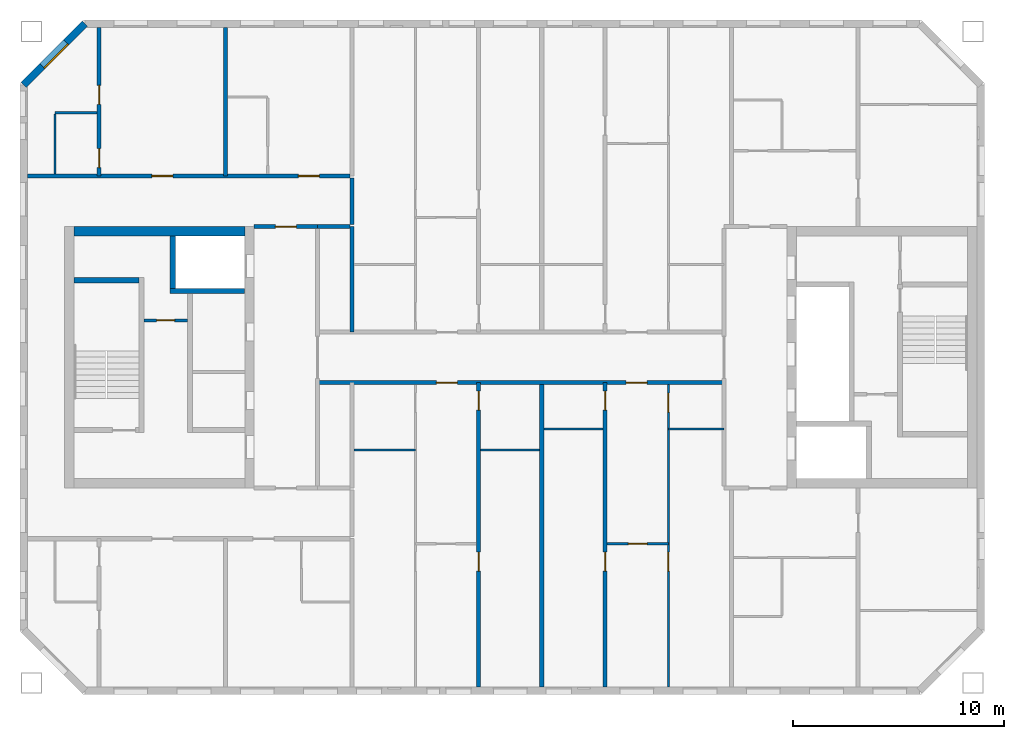
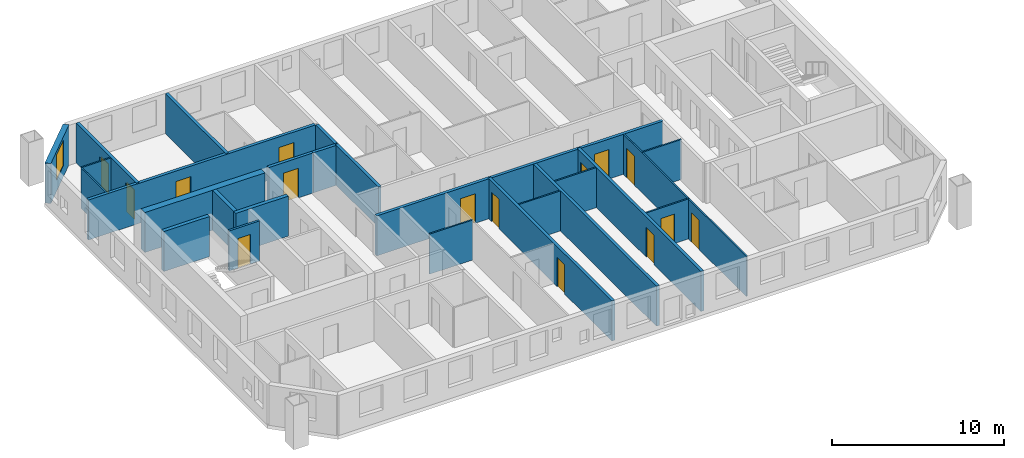
# One storey, part 4 of 15: 25 walls, 15 doors, 1 window, 16 openings.
"""IFC4 building model written with IfcOpenShell, lengths in metres."""

from ifc_helpers import new_model, si_unit, direction, frame, frame_2d, origin, place, context, subcontext, project, spatial, rectangle, extrude, material, layer, layer_set, type_object, element, fill, save


model = new_model("IFC4")

# Units and contexts
model_context = context("Model", 3, precision=1e-05, world=origin(), true_north=direction((0.0, 1.0)))
body_context = subcontext(model_context, "Body", "Model", "MODEL_VIEW")
ifc_project = project(units=[si_unit("LENGTHUNIT", "METRE"), si_unit("AREAUNIT", "SQUARE_METRE"), si_unit("VOLUMEUNIT", "CUBIC_METRE"), si_unit("PLANEANGLEUNIT", "RADIAN"), si_unit("MASSUNIT", "GRAM", prefix="KILO")], contexts=[model_context])

# Site, building, storey
site_placement = place(None, origin())
site = spatial("IfcSite", under=ifc_project, at=site_placement, CompositionType="ELEMENT")
building_placement = place(site_placement, origin())
building = spatial("IfcBuilding", under=site, at=building_placement, Name="Tuart Gate Housing", CompositionType="ELEMENT")
storey_placement = place(building_placement, frame((0.0, 0.0, 188.199951171875)))
storey = spatial("IfcBuildingStorey", under=building, at=storey_placement, Name="L53", CompositionType="ELEMENT", Elevation=188.199951171875)

# Wall, opening, window
ifc_material_1 = material(Name="Brick", Category="masonry")
ifc_layer_1 = layer(ifc_material_1, 0.360107421875)
ifc_layer_set_1 = layer_set([ifc_layer_1], Name="Brick pier and spandrel wall 360")
wall_type_1 = type_object("IfcWallType", Name="Brick pier and spandrel wall 360", PredefinedType="STANDARD", material=ifc_layer_set_1)
wall_1_placement = place(storey_placement, frame((33.32470703125, 85.820068359375, 0.0), z_axis=(0.0, 0.0, 1.0), x_axis=(-0.707106781187, -0.707106781187, 0.0)))
wall_1 = element("IfcWall", 1, at=wall_1_placement, inside=storey, type_object=wall_type_1, Name="External wall A-NW L53", PredefinedType="STANDARD", context=body_context, shape_type="SweptSolid", body=[
    extrude(rectangle(XDim=4.09375, YDim=0.360107421875, at=frame_2d((2.046875, 0.0))), origin(), (0.0, 0.0, 1.0), 2.85009765625),
])
opening_1_placement = place(wall_1_placement, frame((1.2470703125, 0.0, 0.800048828125)))
opening_1 = element("IfcOpeningElement", 2, at=opening_1_placement, cuts=wall_1, Name="Opening W1", PredefinedType="OPENING", context=body_context, shape_type="SweptSolid", body=[
    extrude(rectangle(XDim=1.60009765625, YDim=1.800048828125, at=frame_2d((0.800048828125, 0.89990234375))), frame((0.0, 0.18994140625, 0.0), z_axis=(0.0, -1.0, 0.0), x_axis=(1.0, 0.0, 0.0)), (0.0, 0.0, 1.0), 0.380126953125),
])
ifc_material_2 = material(Name="Aluminium frame with clear glass", Category="aluminium")
window_type = type_object("IfcWindowType", Name="Punched window 1600 x 1800", PartitioningType="SINGLE_PANEL", PredefinedType="WINDOW", material=ifc_material_2)
window_placement = place(opening_1_placement, origin())
window = element("IfcWindow", 3, at=window_placement, inside=storey, type_object=window_type, Name="Window W1", OverallHeight=1.800048828125, OverallWidth=1.60009765625, PartitioningType="SINGLE_PANEL", PredefinedType="WINDOW", context=body_context, shape_type="SweptSolid", body=[
    extrude(rectangle(XDim=1.60009765625, YDim=1.800048828125, at=frame_2d((0.800048828125, 0.89990234375))), frame((0.0, 0.150146484375, 0.0), z_axis=(0.0, -1.0, 0.0), x_axis=(1.0, 0.0, 0.0)), (0.0, 0.0, 1.0), 0.06005859375),
])
fill(opening_1, window)

# Wall, opening, door
ifc_material_3 = material(Name="Plasterboard partition")
ifc_layer_2 = layer(ifc_material_3, 0.14990234375)
ifc_layer_set_2 = layer_set([ifc_layer_2], Name="Core partition 150")
wall_type_2 = type_object("IfcWallType", Name="Core partition 150", PredefinedType="PARTITIONING", material=ifc_layer_set_2)
wall_2_placement = place(storey_placement, frame((38.18505859375, 71.75, 0.0), z_axis=(0.0, 0.0, 1.0), x_axis=(-1.0, 0.0, 0.0)))
wall_2 = element("IfcWall", 4, at=wall_2_placement, inside=storey, type_object=wall_type_2, Name="Core partition AK.3", PredefinedType="PARTITIONING", context=body_context, shape_type="SweptSolid", body=[
    extrude(rectangle(XDim=2.050048828125, YDim=0.14990234375, at=frame_2d((1.02490234375, 0.0))), origin(), (0.0, 0.0, 1.0), 2.85009765625),
])
opening_2_placement = place(wall_2_placement, frame((0.60009765625, 0.0, 0.0)))
opening_2 = element("IfcOpeningElement", 5, at=opening_2_placement, cuts=wall_2, Name="Opening D1862", PredefinedType="OPENING", context=body_context, shape_type="SweptSolid", body=[
    extrude(rectangle(XDim=0.85009765625, YDim=2.10009765625, at=frame_2d((0.425048828125, 1.050048828125))), frame((0.0, 0.0849609375, 0.0), z_axis=(0.0, -1.0, 0.0), x_axis=(1.0, 0.0, 0.0)), (0.0, 0.0, 1.0), 0.169921875),
])
ifc_material_4 = material(Name="Steel fire door", Category="steel")
door_type_1 = type_object("IfcDoorType", Name="Riser door 850 x 2100 RH", OperationType="SINGLE_SWING_RIGHT", PredefinedType="DOOR", material=ifc_material_4)
door_1_placement = place(opening_2_placement, frame((0.85009765625, 0.0, 0.0), z_axis=(0.0, 0.0, 1.0), x_axis=(-1.0, 0.0, 0.0)))
door_1 = element("IfcDoor", 6, at=door_1_placement, inside=storey, type_object=door_type_1, Name="Service room door AK.E1", OperationType="SINGLE_SWING_RIGHT", OverallHeight=2.10009765625, OverallWidth=0.85009765625, PredefinedType="DOOR", context=body_context, shape_type="SweptSolid", body=[
    extrude(rectangle(XDim=0.85009765625, YDim=2.10009765625, at=frame_2d((0.425048828125, 1.050048828125))), frame((0.0, 0.025146484375, 0.0), z_axis=(0.0, -1.0, 0.0), x_axis=(1.0, 0.0, 0.0)), (0.0, 0.0, 1.0), 0.050048828125),
])
fill(opening_2, door_1)

# Walls
ifc_material_5 = material(Name="Concrete C40", Category="concrete")
ifc_layer_3 = layer(ifc_material_5, 0.25)
ifc_layer_set_3 = layer_set([ifc_layer_3], Name="Core wall 250 C40")
wall_type_3 = type_object("IfcWallType", Name="Core wall 250 C40", PredefinedType="SHEAR", material=ifc_layer_set_3)
wall_3_placement = place(storey_placement, frame((35.885009765625, 73.64990234375, 0.0), z_axis=(0.0, 0.0, 1.0), x_axis=(-1.0, 0.0, 0.0)))
element("IfcWall", 7, at=wall_3_placement, inside=storey, type_object=wall_type_3, Name="Core wall AK.1", PredefinedType="SHEAR", context=body_context, shape_type="SweptSolid", body=[
    extrude(rectangle(XDim=3.074951171875, YDim=0.25, at=frame_2d((1.53759765625, 0.0))), origin(), (0.0, 0.0, 1.0), 2.85009765625),
])
wall_4_placement = place(storey_placement, frame((40.909912109375, 73.14990234375, 0.0), z_axis=(0.0, 0.0, 1.0), x_axis=(-1.0, 0.0, 0.0)))
element("IfcWall", 8, at=wall_4_placement, inside=storey, type_object=wall_type_3, Name="Core wall AK.2", PredefinedType="SHEAR", context=body_context, shape_type="SweptSolid", body=[
    extrude(rectangle(XDim=3.544921875, YDim=0.25, at=frame_2d((1.7724609375, 0.0))), origin(), (0.0, 0.0, 1.0), 2.85009765625),
])
wall_5_placement = place(storey_placement, frame((37.489990234375, 75.75, 0.0), z_axis=(0.0, 0.0, 1.0), x_axis=(0.0, -1.0, 0.0)))
element("IfcWall", 9, at=wall_5_placement, inside=storey, type_object=wall_type_3, Name="Core wall AK.8", PredefinedType="SHEAR", context=body_context, shape_type="SweptSolid", body=[
    extrude(rectangle(XDim=2.47509765625, YDim=0.25, at=frame_2d((1.237548828125, 0.0))), origin(), (0.0, 0.0, 1.0), 2.85009765625),
])
ifc_material_6 = material(Name="Concrete C40", Category="concrete")
ifc_layer_4 = layer(ifc_material_6, 0.449951171875)
ifc_layer_set_4 = layer_set([ifc_layer_4], Name="Core wall 450 C40")
wall_type_4 = type_object("IfcWallType", Name="Core wall 450 C40", PredefinedType="SHEAR", material=ifc_layer_set_4)
wall_6_placement = place(storey_placement, frame((40.909912109375, 75.97509765625, 0.0), z_axis=(0.0, 0.0, 1.0), x_axis=(-1.0, 0.0, 0.0)))
element("IfcWall", 10, at=wall_6_placement, inside=storey, type_object=wall_type_4, Name="Core wall AK south", PredefinedType="SHEAR", context=body_context, shape_type="SweptSolid", body=[
    extrude(rectangle(XDim=8.099853515625, YDim=0.449951171875, at=frame_2d((4.0498046875, 0.0))), origin(), (0.0, 0.0, 1.0), 2.85009765625),
])

# Wall, openings, doors
ifc_material_7 = material(Name="Concrete masonry 15 MPa", Category="masonry")
ifc_layer_5 = layer(ifc_material_7, 0.199951171875)
ifc_layer_set_5 = layer_set([ifc_layer_5], Name="Corridor wall masonry 200")
wall_type_5 = type_object("IfcWallType", Name="Corridor wall masonry 200", PredefinedType="PARTITIONING", material=ifc_layer_set_5)
wall_7_placement = place(storey_placement, frame((44.360107421875, 68.800048828125, 0.0), z_axis=(0.0, 0.0, 1.0), x_axis=(1.0, 0.0, 0.0)))
wall_7 = element("IfcWall", 11, at=wall_7_placement, inside=storey, type_object=wall_type_5, Name="Corridor wall masonry 200", PredefinedType="PARTITIONING", context=body_context, shape_type="SweptSolid", body=[
    extrude(rectangle(XDim=19.27978515625, YDim=0.199951171875, at=frame_2d((9.639892578125, 0.0))), origin(), (0.0, 0.0, 1.0), 2.85009765625),
])
opening_3_placement = place(wall_7_placement, frame((14.639892578125, 0.0, 0.0)))
opening_3 = element("IfcOpeningElement", 12, at=opening_3_placement, cuts=wall_7, Name="Opening D1872", PredefinedType="OPENING", context=body_context, shape_type="SweptSolid", body=[
    extrude(rectangle(XDim=1.0, YDim=2.10009765625, at=frame_2d((0.5, 1.050048828125))), frame((0.0, 0.10986328125, 0.0), z_axis=(0.0, -1.0, 0.0), x_axis=(1.0, 0.0, 0.0)), (0.0, 0.0, 1.0), 0.219970703125),
])
opening_4_placement = place(wall_7_placement, frame((5.639892578125, 0.0, 0.0)))
opening_4 = element("IfcOpeningElement", 13, at=opening_4_placement, cuts=wall_7, Name="Opening D1873", PredefinedType="OPENING", context=body_context, shape_type="SweptSolid", body=[
    extrude(rectangle(XDim=1.0, YDim=2.10009765625, at=frame_2d((0.5, 1.050048828125))), frame((0.0, 0.10986328125, 0.0), z_axis=(0.0, -1.0, 0.0), x_axis=(1.0, 0.0, 0.0)), (0.0, 0.0, 1.0), 0.219970703125),
])
ifc_material_8 = material(Name="Timber door leaf in steel frame", Category="steel")
door_type_2 = type_object("IfcDoorType", Name="Flat entrance door 1000 RH", OperationType="SINGLE_SWING_RIGHT", PredefinedType="DOOR", material=ifc_material_8)
door_2_placement = place(opening_3_placement, frame((1.0, 0.0, 0.0), z_axis=(0.0, 0.0, 1.0), x_axis=(-1.0, 0.0, 0.0)))
door_2 = element("IfcDoor", 14, at=door_2_placement, inside=storey, type_object=door_type_2, Name="Flat entrance door", OperationType="SINGLE_SWING_RIGHT", OverallHeight=2.10009765625, OverallWidth=1.0, PredefinedType="DOOR", context=body_context, shape_type="SweptSolid", body=[
    extrude(rectangle(XDim=1.0, YDim=2.10009765625, at=frame_2d((0.5, 1.050048828125))), frame((0.0, 0.025146484375, 0.0), z_axis=(0.0, -1.0, 0.0), x_axis=(1.0, 0.0, 0.0)), (0.0, 0.0, 1.0), 0.050048828125),
])
fill(opening_3, door_2)
door_3_placement = place(opening_4_placement, frame((1.0, 0.0, 0.0), z_axis=(0.0, 0.0, 1.0), x_axis=(-1.0, 0.0, 0.0)))
door_3 = element("IfcDoor", 15, at=door_3_placement, inside=storey, type_object=door_type_2, Name="Flat entrance door", OperationType="SINGLE_SWING_RIGHT", OverallHeight=2.10009765625, OverallWidth=1.0, PredefinedType="DOOR", context=body_context, shape_type="SweptSolid", body=[
    extrude(rectangle(XDim=1.0, YDim=2.10009765625, at=frame_2d((0.5, 1.050048828125))), frame((0.0, 0.025146484375, 0.0), z_axis=(0.0, -1.0, 0.0), x_axis=(1.0, 0.0, 0.0)), (0.0, 0.0, 1.0), 0.050048828125),
])
fill(opening_4, door_3)

# Wall
wall_8_placement = place(storey_placement, frame((44.360107421875, 76.199951171875, 0.0), z_axis=(0.0, 0.0, 1.0), x_axis=(1.0, 0.0, 0.0)))
element("IfcWall", 16, at=wall_8_placement, inside=storey, type_object=wall_type_5, Name="Corridor wall masonry 200", PredefinedType="PARTITIONING", context=body_context, shape_type="SweptSolid", body=[
    extrude(rectangle(XDim=1.539794921875, YDim=0.199951171875, at=frame_2d((0.77001953125, 0.0))), origin(), (0.0, 0.0, 1.0), 2.85009765625),
])

# Wall, openings, doors
wall_9_placement = place(storey_placement, frame((30.610107421875, 78.60009765625, 0.0), z_axis=(0.0, 0.0, 1.0), x_axis=(1.0, 0.0, 0.0)))
wall_9 = element("IfcWall", 17, at=wall_9_placement, inside=storey, type_object=wall_type_5, Name="Corridor wall masonry 200", PredefinedType="PARTITIONING", context=body_context, shape_type="SweptSolid", body=[
    extrude(rectangle(XDim=15.289794921875, YDim=0.199951171875, at=frame_2d((7.64501953125, 0.0))), origin(), (0.0, 0.0, 1.0), 2.85009765625),
])
opening_5_placement = place(wall_9_placement, frame((12.840087890625, 0.0, 0.0)))
opening_5 = element("IfcOpeningElement", 18, at=opening_5_placement, cuts=wall_9, Name="Opening D1848", PredefinedType="OPENING", context=body_context, shape_type="SweptSolid", body=[
    extrude(rectangle(XDim=1.0, YDim=2.10009765625, at=frame_2d((0.5, 1.050048828125))), frame((0.0, 0.10986328125, 0.0), z_axis=(0.0, -1.0, 0.0), x_axis=(1.0, 0.0, 0.0)), (0.0, 0.0, 1.0), 0.219970703125),
])
opening_6_placement = place(wall_9_placement, frame((5.889892578125, 0.0, 0.0)))
opening_6 = element("IfcOpeningElement", 19, at=opening_6_placement, cuts=wall_9, Name="Opening D1849", PredefinedType="OPENING", context=body_context, shape_type="SweptSolid", body=[
    extrude(rectangle(XDim=1.0, YDim=2.10009765625, at=frame_2d((0.5, 1.050048828125))), frame((0.0, 0.10986328125, 0.0), z_axis=(0.0, -1.0, 0.0), x_axis=(1.0, 0.0, 0.0)), (0.0, 0.0, 1.0), 0.219970703125),
])
ifc_material_9 = material(Name="Timber door leaf in steel frame", Category="steel")
door_type_3 = type_object("IfcDoorType", Name="Flat entrance door 1000", OperationType="SINGLE_SWING_LEFT", PredefinedType="DOOR", material=ifc_material_9)
door_4_placement = place(opening_5_placement, origin())
door_4 = element("IfcDoor", 20, at=door_4_placement, inside=storey, type_object=door_type_3, Name="Flat entrance door", OperationType="SINGLE_SWING_LEFT", OverallHeight=2.10009765625, OverallWidth=1.0, PredefinedType="DOOR", context=body_context, shape_type="SweptSolid", body=[
    extrude(rectangle(XDim=1.0, YDim=2.10009765625, at=frame_2d((0.5, 1.050048828125))), frame((0.0, 0.02490234375, 0.0), z_axis=(0.0, -1.0, 0.0), x_axis=(1.0, 0.0, 0.0)), (0.0, 0.0, 1.0), 0.050048828125),
])
fill(opening_5, door_4)
door_5_placement = place(opening_6_placement, origin())
door_5 = element("IfcDoor", 21, at=door_5_placement, inside=storey, type_object=door_type_3, Name="Flat entrance door", OperationType="SINGLE_SWING_LEFT", OverallHeight=2.10009765625, OverallWidth=1.0, PredefinedType="DOOR", context=body_context, shape_type="SweptSolid", body=[
    extrude(rectangle(XDim=1.0, YDim=2.10009765625, at=frame_2d((0.5, 1.050048828125))), frame((0.0, 0.02490234375, 0.0), z_axis=(0.0, -1.0, 0.0), x_axis=(1.0, 0.0, 0.0)), (0.0, 0.0, 1.0), 0.050048828125),
])
fill(opening_6, door_5)

# Wall
wall_10_placement = place(storey_placement, frame((46.0, 76.300048828125, 0.0), z_axis=(0.0, 0.0, 1.0), x_axis=(0.0, 1.0, 0.0)))
element("IfcWall", 22, at=wall_10_placement, inside=storey, type_object=wall_type_5, Name="Corridor wall masonry 200", PredefinedType="PARTITIONING", context=body_context, shape_type="SweptSolid", body=[
    extrude(rectangle(XDim=2.199951171875, YDim=0.199951171875, at=frame_2d((1.10009765625, 0.0))), origin(), (0.0, 0.0, 1.0), 2.85009765625),
])

# Wall, opening, door
ifc_material_10 = material(Name="Concrete masonry 15 MPa", Category="masonry")
ifc_layer_6 = layer(ifc_material_10, 0.199951171875)
ifc_layer_set_6 = layer_set([ifc_layer_6], Name="Enclosure wall masonry 200")
wall_type_6 = type_object("IfcWallType", Name="Enclosure wall masonry 200", PredefinedType="PARTITIONING", material=ifc_layer_set_6)
wall_11_placement = place(storey_placement, frame((41.360107421875, 76.199951171875, 0.0), z_axis=(0.0, 0.0, 1.0), x_axis=(1.0, 0.0, 0.0)))
wall_11 = element("IfcWall", 23, at=wall_11_placement, inside=storey, type_object=wall_type_6, Name="Enclosure wall masonry 200", PredefinedType="PARTITIONING", context=body_context, shape_type="SweptSolid", body=[
    extrude(rectangle(XDim=3.0, YDim=0.199951171875, at=frame_2d((1.5, 0.0))), origin(), (0.0, 0.0, 1.0), 2.85009765625),
])
opening_7_placement = place(wall_11_placement, frame((1.0, 0.0, 0.0)))
opening_7 = element("IfcOpeningElement", 24, at=opening_7_placement, cuts=wall_11, Name="Opening D1859", PredefinedType="OPENING", context=body_context, shape_type="SweptSolid", body=[
    extrude(rectangle(XDim=1.0, YDim=2.10009765625, at=frame_2d((0.5, 1.050048828125))), frame((0.0, 0.10986328125, 0.0), z_axis=(0.0, -1.0, 0.0), x_axis=(1.0, 0.0, 0.0)), (0.0, 0.0, 1.0), 0.219970703125),
])
ifc_material_11 = material(Name="Timber door leaf in steel frame", Category="steel")
door_type_4 = type_object("IfcDoorType", Name="Fire door 1000 RH", OperationType="SINGLE_SWING_RIGHT", PredefinedType="DOOR", material=ifc_material_11)
door_6_placement = place(opening_7_placement, origin())
door_6 = element("IfcDoor", 25, at=door_6_placement, inside=storey, type_object=door_type_4, Name="Fire door", OperationType="SINGLE_SWING_RIGHT", OverallHeight=2.10009765625, OverallWidth=1.0, PredefinedType="DOOR", context=body_context, shape_type="SweptSolid", body=[
    extrude(rectangle(XDim=1.0, YDim=2.10009765625, at=frame_2d((0.5, 1.050048828125))), frame((0.0, 0.02490234375, 0.0), z_axis=(0.0, -1.0, 0.0), x_axis=(1.0, 0.0, 0.0)), (0.0, 0.0, 1.0), 0.050048828125),
])
fill(opening_7, door_6)

ifc_material_12 = material(Name="Gypsum board on steel studs", Category="steel")
ifc_layer_7 = layer(ifc_material_12, 0.10009765625)
ifc_layer_set_7 = layer_set([ifc_layer_7], Name="Partition 100")
wall_type_7 = type_object("IfcWallType", Name="Partition 100", PredefinedType="PARTITIONING", material=ifc_layer_set_7)
wall_12_placement = place(storey_placement, frame((58.10009765625, 61.159912109375, 0.0), z_axis=(0.0, 0.0, 1.0), x_axis=(1.0, 0.0, 0.0)))
wall_12 = element("IfcWall", 26, at=wall_12_placement, inside=storey, type_object=wall_type_7, Name="Partition 100", PredefinedType="PARTITIONING", context=body_context, shape_type="SweptSolid", body=[
    extrude(rectangle(XDim=2.89990234375, YDim=0.10009765625, at=frame_2d((1.449951171875, 0.0))), origin(), (0.0, 0.0, 1.0), 2.85009765625),
])
opening_8_placement = place(wall_12_placement, frame((1.0, 0.0, 0.0)))
opening_8 = element("IfcOpeningElement", 27, at=opening_8_placement, cuts=wall_12, Name="Opening D1889", PredefinedType="OPENING", context=body_context, shape_type="SweptSolid", body=[
    extrude(rectangle(XDim=0.89990234375, YDim=2.10009765625, at=frame_2d((0.449951171875, 1.050048828125))), frame((0.0, 0.06005859375, 0.0), z_axis=(0.0, -1.0, 0.0), x_axis=(1.0, 0.0, 0.0)), (0.0, 0.0, 1.0), 0.1201171875),
])
ifc_material_13 = material(Name="Timber door leaf in steel frame", Category="steel")
door_type_5 = type_object("IfcDoorType", Name="Internal door 900 RH", OperationType="SINGLE_SWING_RIGHT", PredefinedType="DOOR", material=ifc_material_13)
door_7_placement = place(opening_8_placement, origin())
door_7 = element("IfcDoor", 28, at=door_7_placement, inside=storey, type_object=door_type_5, Name="Internal door", OperationType="SINGLE_SWING_RIGHT", OverallHeight=2.10009765625, OverallWidth=0.89990234375, PredefinedType="DOOR", context=body_context, shape_type="SweptSolid", body=[
    extrude(rectangle(XDim=0.89990234375, YDim=2.10009765625, at=frame_2d((0.449951171875, 1.050048828125))), frame((0.0, 0.02490234375, 0.0), z_axis=(0.0, -1.0, 0.0), x_axis=(1.0, 0.0, 0.0)), (0.0, 0.0, 1.0), 0.050048828125),
])
fill(opening_8, door_7)

# Walls
wall_13_placement = place(storey_placement, frame((46.10009765625, 65.60009765625, 0.0), z_axis=(0.0, 0.0, 1.0), x_axis=(1.0, 0.0, 0.0)))
element("IfcWall", 29, at=wall_13_placement, inside=storey, type_object=wall_type_7, Name="Partition 100", PredefinedType="PARTITIONING", context=body_context, shape_type="SweptSolid", body=[
    extrude(rectangle(XDim=2.89990234375, YDim=0.10009765625, at=frame_2d((1.449951171875, 0.0))), origin(), (0.0, 0.0, 1.0), 2.85009765625),
])
for number, where, z_axis, x_axis, name in (
    (30, (52.10009765625, 65.60009765625, 0.0), (0.0, 0.0, 1.0), (1.0, 0.0, 0.0), "Partition 100"),
    (31, (55.10009765625, 66.60009765625, 0.0), (0.0, 0.0, 1.0), (1.0, 0.0, 0.0), "Partition 100"),
):
    element("IfcWall", number, at=place(storey_placement, frame(where, z_axis=z_axis, x_axis=x_axis)), inside=storey, type_object=wall_type_7, Name=name, PredefinedType="PARTITIONING", context=body_context, shape_type="SweptSolid", body=[
        extrude(rectangle(XDim=2.7998046875, YDim=0.10009765625, at=frame_2d((1.39990234375, 0.0))), origin(), (0.0, 0.0, 1.0), 2.85009765625),
    ])
wall_14_placement = place(storey_placement, frame((61.0, 66.60009765625, 0.0), z_axis=(0.0, 0.0, 1.0), x_axis=(1.0, 0.0, 0.0)))
element("IfcWall", 32, at=wall_14_placement, inside=storey, type_object=wall_type_7, Name="Partition 100", PredefinedType="PARTITIONING", context=body_context, shape_type="SweptSolid", body=[
    extrude(rectangle(XDim=2.639892578125, YDim=0.10009765625, at=frame_2d((1.31982421875, 0.0))), origin(), (0.0, 0.0, 1.0), 2.85009765625),
])
wall_15_placement = place(storey_placement, frame((31.909912109375, 81.60009765625, 0.0), z_axis=(0.0, 0.0, 1.0), x_axis=(1.0, 0.0, 0.0)))
element("IfcWall", 33, at=wall_15_placement, inside=storey, type_object=wall_type_7, Name="Partition 100", PredefinedType="PARTITIONING", context=body_context, shape_type="SweptSolid", body=[
    extrude(rectangle(XDim=1.989990234375, YDim=0.10009765625, at=frame_2d((0.9951171875, 0.0))), origin(), (0.0, 0.0, 1.0), 2.85009765625),
])
wall_16_placement = place(storey_placement, frame((31.909912109375, 78.699951171875, 0.0), z_axis=(0.0, 0.0, 1.0), x_axis=(0.0, 1.0, 0.0)))
element("IfcWall", 34, at=wall_16_placement, inside=storey, type_object=wall_type_7, Name="Partition 100", PredefinedType="PARTITIONING", context=body_context, shape_type="SweptSolid", body=[
    extrude(rectangle(XDim=2.85009765625, YDim=0.10009765625, at=frame_2d((1.425048828125, 0.0))), origin(), (0.0, 0.0, 1.0), 2.85009765625),
])

# Wall, openings, doors
wall_17_placement = place(storey_placement, frame((61.0, 54.360107421875, 0.0), z_axis=(0.0, 0.0, 1.0), x_axis=(0.0, 1.0, 0.0)))
wall_17 = element("IfcWall", 35, at=wall_17_placement, inside=storey, type_object=wall_type_7, Name="Partition 100", PredefinedType="PARTITIONING", context=body_context, shape_type="SweptSolid", body=[
    extrude(rectangle(XDim=14.33984375, YDim=0.10009765625, at=frame_2d((7.169921875, 0.0))), origin(), (0.0, 0.0, 1.0), 2.85009765625),
])
opening_9_placement = place(wall_17_placement, frame((5.5, 0.0, 0.0)))
opening_9 = element("IfcOpeningElement", 36, at=opening_9_placement, cuts=wall_17, Name="Opening D1885", PredefinedType="OPENING", context=body_context, shape_type="SweptSolid", body=[
    extrude(rectangle(XDim=0.89990234375, YDim=2.10009765625, at=frame_2d((0.449951171875, 1.050048828125))), frame((0.0, 0.06005859375, 0.0), z_axis=(0.0, -1.0, 0.0), x_axis=(1.0, 0.0, 0.0)), (0.0, 0.0, 1.0), 0.1201171875),
])
opening_10_placement = place(wall_17_placement, frame((13.0400390625, 0.0, 0.0)))
opening_10 = element("IfcOpeningElement", 37, at=opening_10_placement, cuts=wall_17, Name="Opening D1884", PredefinedType="OPENING", context=body_context, shape_type="SweptSolid", body=[
    extrude(rectangle(XDim=0.89990234375, YDim=2.10009765625, at=frame_2d((0.449951171875, 1.050048828125))), frame((0.0, 0.06005859375, 0.0), z_axis=(0.0, -1.0, 0.0), x_axis=(1.0, 0.0, 0.0)), (0.0, 0.0, 1.0), 0.1201171875),
])
ifc_material_14 = material(Name="Timber door leaf in steel frame", Category="steel")
door_type_6 = type_object("IfcDoorType", Name="Bathroom door 900", OperationType="SINGLE_SWING_LEFT", PredefinedType="DOOR", material=ifc_material_14)
door_8_placement = place(opening_10_placement, frame((0.89990234375, 0.0, 0.0), z_axis=(0.0, 0.0, 1.0), x_axis=(-1.0, 0.0, 0.0)))
door_8 = element("IfcDoor", 38, at=door_8_placement, inside=storey, type_object=door_type_6, Name="Bathroom door", OperationType="SINGLE_SWING_LEFT", OverallHeight=2.10009765625, OverallWidth=0.89990234375, PredefinedType="DOOR", context=body_context, shape_type="SweptSolid", body=[
    extrude(rectangle(XDim=0.89990234375, YDim=2.10009765625, at=frame_2d((0.449951171875, 1.050048828125))), frame((0.0, 0.025146484375, 0.0), z_axis=(0.0, -1.0, 0.0), x_axis=(1.0, 0.0, 0.0)), (0.0, 0.0, 1.0), 0.050048828125),
])
fill(opening_10, door_8)
door_9_placement = place(opening_9_placement, frame((0.89990234375, 0.0, 0.0), z_axis=(0.0, 0.0, 1.0), x_axis=(-1.0, 0.0, 0.0)))
door_9 = element("IfcDoor", 39, at=door_9_placement, inside=storey, type_object=door_type_5, Name="Internal door", OperationType="SINGLE_SWING_RIGHT", OverallHeight=2.10009765625, OverallWidth=0.89990234375, PredefinedType="DOOR", context=body_context, shape_type="SweptSolid", body=[
    extrude(rectangle(XDim=0.89990234375, YDim=2.10009765625, at=frame_2d((0.449951171875, 1.050048828125))), frame((0.0, 0.025146484375, 0.0), z_axis=(0.0, -1.0, 0.0), x_axis=(1.0, 0.0, 0.0)), (0.0, 0.0, 1.0), 0.050048828125),
])
fill(opening_9, door_9)

ifc_material_15 = material(Name="Concrete C40", Category="concrete")
ifc_layer_8 = layer(ifc_material_15, 0.199951171875)
ifc_layer_set_8 = layer_set([ifc_layer_8], Name="Party wall concrete C40 200")
wall_type_8 = type_object("IfcWallType", Name="Party wall concrete C40 200", PredefinedType="SOLIDWALL", material=ifc_layer_set_8)
wall_18_placement = place(storey_placement, frame((34.0, 78.60009765625, 0.0), z_axis=(0.0, 0.0, 1.0), x_axis=(0.0, 1.0, 0.0)))
wall_18 = element("IfcWall", 40, at=wall_18_placement, inside=storey, type_object=wall_type_8, Name="Party wall concrete C40 200", PredefinedType="SOLIDWALL", context=body_context, shape_type="SweptSolid", body=[
    extrude(rectangle(XDim=7.039794921875, YDim=0.199951171875, at=frame_2d((3.52001953125, 0.0))), origin(), (0.0, 0.0, 1.0), 2.85009765625),
])
opening_11_placement = place(wall_18_placement, frame((3.39990234375, 0.0, 0.0)))
opening_11 = element("IfcOpeningElement", 41, at=opening_11_placement, cuts=wall_18, Name="Opening D1841", PredefinedType="OPENING", context=body_context, shape_type="SweptSolid", body=[
    extrude(rectangle(XDim=0.89990234375, YDim=2.10009765625, at=frame_2d((0.449951171875, 1.050048828125))), frame((0.0, 0.10986328125, 0.0), z_axis=(0.0, -1.0, 0.0), x_axis=(1.0, 0.0, 0.0)), (0.0, 0.0, 1.0), 0.219970703125),
])
opening_12_placement = place(wall_18_placement, frame((0.39990234375, 0.0, 0.0)))
opening_12 = element("IfcOpeningElement", 42, at=opening_12_placement, cuts=wall_18, Name="Opening D1840", PredefinedType="OPENING", context=body_context, shape_type="SweptSolid", body=[
    extrude(rectangle(XDim=0.89990234375, YDim=2.10009765625, at=frame_2d((0.449951171875, 1.050048828125))), frame((0.0, 0.10986328125, 0.0), z_axis=(0.0, -1.0, 0.0), x_axis=(1.0, 0.0, 0.0)), (0.0, 0.0, 1.0), 0.219970703125),
])
door_10_placement = place(opening_12_placement, origin())
door_10 = element("IfcDoor", 43, at=door_10_placement, inside=storey, type_object=door_type_6, Name="Bathroom door", OperationType="SINGLE_SWING_LEFT", OverallHeight=2.10009765625, OverallWidth=0.89990234375, PredefinedType="DOOR", context=body_context, shape_type="SweptSolid", body=[
    extrude(rectangle(XDim=0.89990234375, YDim=2.10009765625, at=frame_2d((0.449951171875, 1.050048828125))), frame((0.0, 0.02490234375, 0.0), z_axis=(0.0, -1.0, 0.0), x_axis=(1.0, 0.0, 0.0)), (0.0, 0.0, 1.0), 0.050048828125),
])
fill(opening_12, door_10)
ifc_material_16 = material(Name="Timber door leaf in steel frame", Category="steel")
door_type_7 = type_object("IfcDoorType", Name="Internal door 900", OperationType="SINGLE_SWING_LEFT", PredefinedType="DOOR", material=ifc_material_16)
door_11_placement = place(opening_11_placement, origin())
door_11 = element("IfcDoor", 44, at=door_11_placement, inside=storey, type_object=door_type_7, Name="Internal door", OperationType="SINGLE_SWING_LEFT", OverallHeight=2.10009765625, OverallWidth=0.89990234375, PredefinedType="DOOR", context=body_context, shape_type="SweptSolid", body=[
    extrude(rectangle(XDim=0.89990234375, YDim=2.10009765625, at=frame_2d((0.449951171875, 1.050048828125))), frame((0.0, 0.02490234375, 0.0), z_axis=(0.0, -1.0, 0.0), x_axis=(1.0, 0.0, 0.0)), (0.0, 0.0, 1.0), 0.050048828125),
])
fill(opening_11, door_11)

# Walls
wall_19_placement = place(storey_placement, frame((40.0, 78.60009765625, 0.0), z_axis=(0.0, 0.0, 1.0), x_axis=(0.0, 1.0, 0.0)))
element("IfcWall", 45, at=wall_19_placement, inside=storey, type_object=wall_type_8, Name="Party wall concrete C40 200", PredefinedType="SOLIDWALL", context=body_context, shape_type="SweptSolid", body=[
    extrude(rectangle(XDim=7.039794921875, YDim=0.199951171875, at=frame_2d((3.52001953125, 0.0))), origin(), (0.0, 0.0, 1.0), 2.85009765625),
])
wall_20_placement = place(storey_placement, frame((46.0, 71.199951171875, 0.0), z_axis=(0.0, 0.0, 1.0), x_axis=(0.0, 1.0, 0.0)))
element("IfcWall", 46, at=wall_20_placement, inside=storey, type_object=wall_type_8, Name="Party wall concrete C40 200", PredefinedType="SOLIDWALL", context=body_context, shape_type="SweptSolid", body=[
    extrude(rectangle(XDim=5.0, YDim=0.199951171875, at=frame_2d((2.5, 0.0))), origin(), (0.0, 0.0, 1.0), 2.85009765625),
])

# Wall, openings, doors
wall_21_placement = place(storey_placement, frame((52.0, 54.360107421875, 0.0), z_axis=(0.0, 0.0, 1.0), x_axis=(0.0, 1.0, 0.0)))
wall_21 = element("IfcWall", 47, at=wall_21_placement, inside=storey, type_object=wall_type_8, Name="Party wall concrete C40 200", PredefinedType="SOLIDWALL", context=body_context, shape_type="SweptSolid", body=[
    extrude(rectangle(XDim=14.43994140625, YDim=0.199951171875, at=frame_2d((7.219970703125, 0.0))), origin(), (0.0, 0.0, 1.0), 2.85009765625),
])
opening_13_placement = place(wall_21_placement, frame((5.5, 0.0, 0.0)))
opening_13 = element("IfcOpeningElement", 48, at=opening_13_placement, cuts=wall_21, Name="Opening D1879", PredefinedType="OPENING", context=body_context, shape_type="SweptSolid", body=[
    extrude(rectangle(XDim=0.89990234375, YDim=2.10009765625, at=frame_2d((0.449951171875, 1.050048828125))), frame((0.0, 0.10986328125, 0.0), z_axis=(0.0, -1.0, 0.0), x_axis=(1.0, 0.0, 0.0)), (0.0, 0.0, 1.0), 0.219970703125),
])
opening_14_placement = place(wall_21_placement, frame((13.139892578125, 0.0, 0.0)))
opening_14 = element("IfcOpeningElement", 49, at=opening_14_placement, cuts=wall_21, Name="Opening D1878", PredefinedType="OPENING", context=body_context, shape_type="SweptSolid", body=[
    extrude(rectangle(XDim=0.89990234375, YDim=2.10009765625, at=frame_2d((0.449951171875, 1.050048828125))), frame((0.0, 0.10986328125, 0.0), z_axis=(0.0, -1.0, 0.0), x_axis=(1.0, 0.0, 0.0)), (0.0, 0.0, 1.0), 0.219970703125),
])
door_12_placement = place(opening_14_placement, frame((0.89990234375, 0.0, 0.0), z_axis=(0.0, 0.0, 1.0), x_axis=(-1.0, 0.0, 0.0)))
door_12 = element("IfcDoor", 50, at=door_12_placement, inside=storey, type_object=door_type_6, Name="Bathroom door", OperationType="SINGLE_SWING_LEFT", OverallHeight=2.10009765625, OverallWidth=0.89990234375, PredefinedType="DOOR", context=body_context, shape_type="SweptSolid", body=[
    extrude(rectangle(XDim=0.89990234375, YDim=2.10009765625, at=frame_2d((0.449951171875, 1.050048828125))), frame((0.0, 0.025146484375, 0.0), z_axis=(0.0, -1.0, 0.0), x_axis=(1.0, 0.0, 0.0)), (0.0, 0.0, 1.0), 0.050048828125),
])
fill(opening_14, door_12)
door_13_placement = place(opening_13_placement, frame((0.89990234375, 0.0, 0.0), z_axis=(0.0, 0.0, 1.0), x_axis=(-1.0, 0.0, 0.0)))
door_13 = element("IfcDoor", 51, at=door_13_placement, inside=storey, type_object=door_type_7, Name="Internal door", OperationType="SINGLE_SWING_LEFT", OverallHeight=2.10009765625, OverallWidth=0.89990234375, PredefinedType="DOOR", context=body_context, shape_type="SweptSolid", body=[
    extrude(rectangle(XDim=0.89990234375, YDim=2.10009765625, at=frame_2d((0.449951171875, 1.050048828125))), frame((0.0, 0.025146484375, 0.0), z_axis=(0.0, -1.0, 0.0), x_axis=(1.0, 0.0, 0.0)), (0.0, 0.0, 1.0), 0.050048828125),
])
fill(opening_13, door_13)

wall_22_placement = place(storey_placement, frame((58.0, 54.360107421875, 0.0), z_axis=(0.0, 0.0, 1.0), x_axis=(0.0, 1.0, 0.0)))
wall_22 = element("IfcWall", 52, at=wall_22_placement, inside=storey, type_object=wall_type_8, Name="Party wall concrete C40 200", PredefinedType="SOLIDWALL", context=body_context, shape_type="SweptSolid", body=[
    extrude(rectangle(XDim=14.43994140625, YDim=0.199951171875, at=frame_2d((7.219970703125, 0.0))), origin(), (0.0, 0.0, 1.0), 2.85009765625),
])
opening_15_placement = place(wall_22_placement, frame((5.5, 0.0, 0.0)))
opening_15 = element("IfcOpeningElement", 53, at=opening_15_placement, cuts=wall_22, Name="Opening D1881", PredefinedType="OPENING", context=body_context, shape_type="SweptSolid", body=[
    extrude(rectangle(XDim=0.89990234375, YDim=2.10009765625, at=frame_2d((0.449951171875, 1.050048828125))), frame((0.0, 0.10986328125, 0.0), z_axis=(0.0, -1.0, 0.0), x_axis=(1.0, 0.0, 0.0)), (0.0, 0.0, 1.0), 0.219970703125),
])
opening_16_placement = place(wall_22_placement, frame((13.139892578125, 0.0, 0.0)))
opening_16 = element("IfcOpeningElement", 54, at=opening_16_placement, cuts=wall_22, Name="Opening D1880", PredefinedType="OPENING", context=body_context, shape_type="SweptSolid", body=[
    extrude(rectangle(XDim=0.89990234375, YDim=2.10009765625, at=frame_2d((0.449951171875, 1.050048828125))), frame((0.0, 0.10986328125, 0.0), z_axis=(0.0, -1.0, 0.0), x_axis=(1.0, 0.0, 0.0)), (0.0, 0.0, 1.0), 0.219970703125),
])
ifc_material_17 = material(Name="Timber door leaf in steel frame", Category="steel")
door_type_8 = type_object("IfcDoorType", Name="Bathroom door 900 RH", OperationType="SINGLE_SWING_RIGHT", PredefinedType="DOOR", material=ifc_material_17)
door_14_placement = place(opening_16_placement, origin())
door_14 = element("IfcDoor", 55, at=door_14_placement, inside=storey, type_object=door_type_8, Name="Bathroom door", OperationType="SINGLE_SWING_RIGHT", OverallHeight=2.10009765625, OverallWidth=0.89990234375, PredefinedType="DOOR", context=body_context, shape_type="SweptSolid", body=[
    extrude(rectangle(XDim=0.89990234375, YDim=2.10009765625, at=frame_2d((0.449951171875, 1.050048828125))), frame((0.0, 0.02490234375, 0.0), z_axis=(0.0, -1.0, 0.0), x_axis=(1.0, 0.0, 0.0)), (0.0, 0.0, 1.0), 0.050048828125),
])
fill(opening_16, door_14)
door_15_placement = place(opening_15_placement, origin())
door_15 = element("IfcDoor", 56, at=door_15_placement, inside=storey, type_object=door_type_7, Name="Internal door", OperationType="SINGLE_SWING_LEFT", OverallHeight=2.10009765625, OverallWidth=0.89990234375, PredefinedType="DOOR", context=body_context, shape_type="SweptSolid", body=[
    extrude(rectangle(XDim=0.89990234375, YDim=2.10009765625, at=frame_2d((0.449951171875, 1.050048828125))), frame((0.0, 0.02490234375, 0.0), z_axis=(0.0, -1.0, 0.0), x_axis=(1.0, 0.0, 0.0)), (0.0, 0.0, 1.0), 0.050048828125),
])
fill(opening_15, door_15)

# Wall
ifc_material_18 = material(Name="Concrete masonry 15 MPa", Category="masonry")
ifc_layer_9 = layer(ifc_material_18, 0.199951171875)
ifc_layer_set_9 = layer_set([ifc_layer_9], Name="Party wall masonry 200")
wall_type_9 = type_object("IfcWallType", Name="Party wall masonry 200", PredefinedType="PARTITIONING", material=ifc_layer_set_9)
wall_23_placement = place(storey_placement, frame((55.0, 54.360107421875, 0.0), z_axis=(0.0, 0.0, 1.0), x_axis=(0.0, 1.0, 0.0)))
element("IfcWall", 57, at=wall_23_placement, inside=storey, type_object=wall_type_9, Name="Party wall masonry 200", PredefinedType="PARTITIONING", context=body_context, shape_type="SweptSolid", body=[
    extrude(rectangle(XDim=14.33984375, YDim=0.199951171875, at=frame_2d((7.169921875, 0.0))), origin(), (0.0, 0.0, 1.0), 2.85009765625),
])

save(model, "model.ifc")
